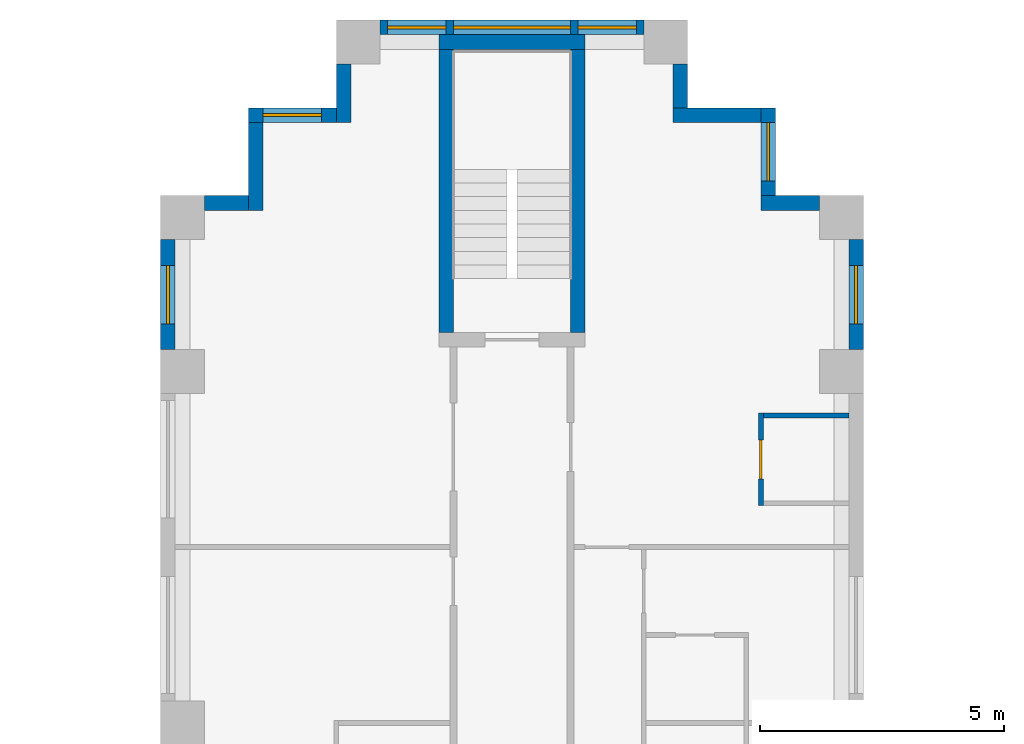
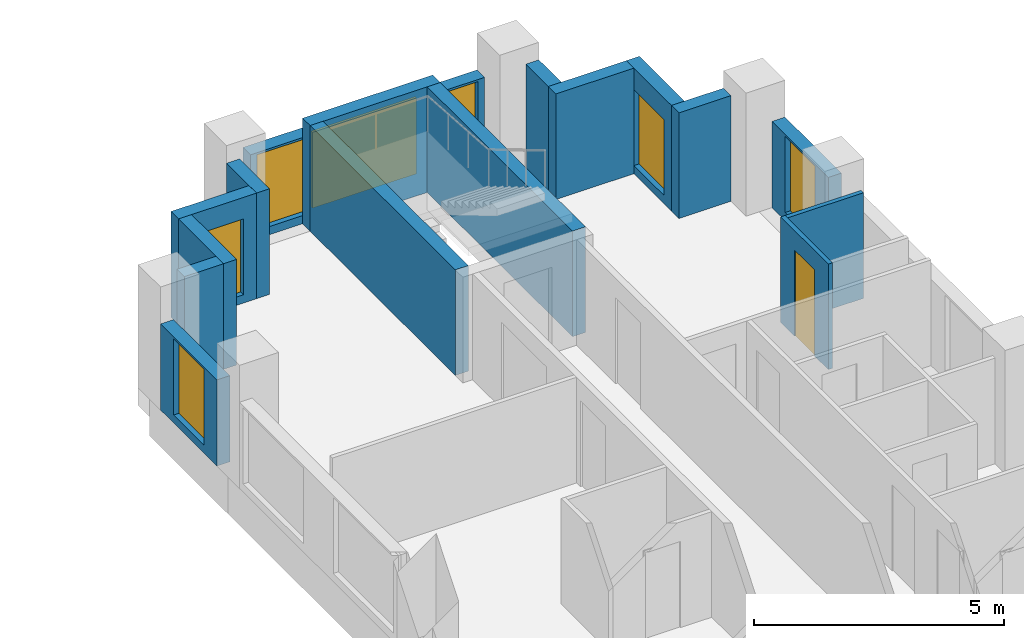
# One storey, part 12 of 15: 16 walls, 7 windows, 1 door, 8 openings.
"""IFC4 building model written with IfcOpenShell, lengths in metres."""

from ifc_helpers import new_model, si_unit, direction, frame, frame_2d, origin, place, context, subcontext, project, spatial, rectangle, extrude, material, layer, layer_set, type_object, element, fill, save


model = new_model("IFC4")

# Units and contexts
model_context = context("Model", 3, precision=1e-05, world=origin(), true_north=direction((0.0, 1.0)))
body_context = subcontext(model_context, "Body", "Model", "MODEL_VIEW")
ifc_project = project(units=[si_unit("LENGTHUNIT", "METRE"), si_unit("AREAUNIT", "SQUARE_METRE"), si_unit("VOLUMEUNIT", "CUBIC_METRE"), si_unit("PLANEANGLEUNIT", "RADIAN"), si_unit("MASSUNIT", "GRAM", prefix="KILO")], contexts=[model_context])

# Site, building, storey
site_placement = place(None, origin())
site = spatial("IfcSite", under=ifc_project, at=site_placement, CompositionType="ELEMENT")
building_placement = place(site_placement, origin())
building = spatial("IfcBuilding", under=site, at=building_placement, Name="Fustian Cross Tower", CompositionType="ELEMENT")
storey_placement = place(building_placement, frame((0.0, 0.0, 53.699951171875)))
storey = spatial("IfcBuildingStorey", under=building, at=storey_placement, Name="L16", CompositionType="ELEMENT", Elevation=53.699951171875)

# Wall, opening, door
ifc_material_1 = material(Name="Plasterboard on steel stud", Category="steel")
ifc_layer_1 = layer(ifc_material_1, 0.10009765625)
ifc_layer_set_1 = layer_set([ifc_layer_1], Name="Plasterboard on steel stud")
wall_type_1 = type_object("IfcWallType", Name="PARTITION 100 STUD", PredefinedType="PARTITIONING", material=ifc_layer_set_1)
wall_1_placement = place(storey_placement, frame((5.10009765625, 33.25, 0.0), z_axis=(0.0, 0.0, 1.0), x_axis=(0.0, 1.0, 0.0)))
wall_1 = element("IfcWall", 1, at=wall_1_placement, inside=storey, type_object=wall_type_1, Name="Partition 83", PredefinedType="PARTITIONING", context=body_context, shape_type="SweptSolid", body=[
    extrude(rectangle(XDim=1.89990234375, YDim=0.10009765625, at=frame_2d((0.949951171875, 0.0))), origin(), (0.0, 0.0, 1.0), 2.574951171875),
])
opening_1_placement = place(wall_1_placement, frame((0.550048828125, 0.0, 0.0)))
opening_1 = element("IfcOpeningElement", 2, at=opening_1_placement, cuts=wall_1, Name="Opening D09033", PredefinedType="OPENING", context=body_context, shape_type="SweptSolid", body=[
    extrude(rectangle(XDim=0.800048828125, YDim=2.10009765625, at=frame_2d((0.39990234375, 1.050048828125))), frame((0.0, 0.06005859375, 0.0), z_axis=(0.0, -1.0, 0.0), x_axis=(1.0, 0.0, 0.0)), (0.0, 0.0, 1.0), 0.1201171875),
])
ifc_material_2 = material(Name="Painted timber", Category="wood")
door_type = type_object("IfcDoorType", Name="SWING DOOR 800", OperationType="SINGLE_SWING_LEFT", PredefinedType="DOOR", material=ifc_material_2)
door_placement = place(opening_1_placement, frame((0.800048828125, 0.0, 0.0), z_axis=(0.0, 0.0, 1.0), x_axis=(-1.0, 0.0, 0.0)))
door = element("IfcDoor", 3, at=door_placement, inside=storey, type_object=door_type, Name="Door D09033", OperationType="SINGLE_SWING_LEFT", OverallHeight=2.10009765625, OverallWidth=0.800048828125, PredefinedType="DOOR", context=body_context, shape_type="SweptSolid", body=[
    extrude(rectangle(XDim=0.800048828125, YDim=2.10009765625, at=frame_2d((0.39990234375, 1.050048828125))), frame((0.0, 0.02490234375, 0.0), z_axis=(0.0, -1.0, 0.0), x_axis=(1.0, 0.0, 0.0)), (0.0, 0.0, 1.0), 0.050048828125),
])
fill(opening_1, door)

# Walls
wall_2_placement = place(storey_placement, frame((5.14990234375, 35.10009765625, 0.0), z_axis=(0.0, 0.0, 1.0), x_axis=(1.0, 0.0, 0.0)))
element("IfcWall", 4, at=wall_2_placement, inside=storey, type_object=wall_type_1, Name="Partition 85", PredefinedType="PARTITIONING", context=body_context, shape_type="SweptSolid", body=[
    extrude(rectangle(XDim=1.75, YDim=0.10009765625, at=frame_2d((0.875, 0.0))), origin(), (0.0, 0.0, 1.0), 2.574951171875),
])
ifc_material_3 = material(Name="Concrete C50/60", Category="concrete")
ifc_layer_2 = layer(ifc_material_3, 0.300048828125)
ifc_layer_set_2 = layer_set([ifc_layer_2], Name="Concrete C50/60")
wall_type_2 = type_object("IfcWallType", Name="STAIR ENCLOSURE WALL 300 C50/60", PredefinedType="SHEAR", material=ifc_layer_set_2)
wall_3_placement = place(storey_placement, frame((-1.5, 42.75, 0.0), z_axis=(0.0, 0.0, 1.0), x_axis=(1.0, 0.0, 0.0)))
element("IfcWall", 5, at=wall_3_placement, inside=storey, type_object=wall_type_2, Name="Stair enclosure wall", PredefinedType="SHEAR", context=body_context, shape_type="SweptSolid", body=[
    extrude(rectangle(XDim=3.0, YDim=0.300048828125, at=frame_2d((1.5, 0.0))), origin(), (0.0, 0.0, 1.0), 2.574951171875),
])
for number, where, z_axis, x_axis, name in (
    (6, (-1.35009765625, 36.800048828125, 0.0), (0.0, 0.0, 1.0), (0.0, 1.0, 0.0), "Stair enclosure wall"),
    (7, (1.35009765625, 36.800048828125, 0.0), (0.0, 0.0, 1.0), (0.0, 1.0, 0.0), "Stair enclosure wall"),
):
    element("IfcWall", number, at=place(storey_placement, frame(where, z_axis=z_axis, x_axis=x_axis)), inside=storey, type_object=wall_type_2, Name=name, PredefinedType="SHEAR", context=body_context, shape_type="SweptSolid", body=[
        extrude(rectangle(XDim=5.800048828125, YDim=0.300048828125, at=frame_2d((2.89990234375, 0.0))), origin(), (0.0, 0.0, 1.0), 2.574951171875),
    ])

# Wall, opening, window
ifc_material_4 = material(Name="Dark aluminium cladding on insulated backing wall", Category="aluminium")
ifc_layer_3 = layer(ifc_material_4, 0.300048828125)
ifc_layer_set_3 = layer_set([ifc_layer_3], Name="Dark aluminium cladding on insulated backing wall")
wall_type_3 = type_object("IfcWallType", Name="XW1 EXTERNAL WALL 300", PredefinedType="SOLIDWALL", material=ifc_layer_set_3)
wall_4_placement = place(storey_placement, frame((7.050048828125, 36.449951171875, 0.0), z_axis=(0.0, 0.0, 1.0), x_axis=(0.0, 1.0, 0.0)))
wall_4 = element("IfcWall", 8, at=wall_4_placement, inside=storey, type_object=wall_type_3, Name="External wall", PredefinedType="SOLIDWALL", context=body_context, shape_type="SweptSolid", body=[
    extrude(rectangle(XDim=2.25, YDim=0.300048828125, at=frame_2d((1.125, 0.0))), origin(), (0.0, 0.0, 1.0), 2.10009765625),
])
opening_2_placement = place(wall_4_placement, frame((0.52490234375, 0.0, 0.199951171875)))
opening_2 = element("IfcOpeningElement", 9, at=opening_2_placement, cuts=wall_4, Name="Opening WN3", PredefinedType="OPENING", context=body_context, shape_type="SweptSolid", body=[
    extrude(rectangle(XDim=1.199951171875, YDim=1.85009765625, at=frame_2d((0.60009765625, 0.925048828125))), frame((0.0, 0.159912109375, 0.0), z_axis=(0.0, -1.0, 0.0), x_axis=(1.0, 0.0, 0.0)), (0.0, 0.0, 1.0), 0.320068359375),
])
ifc_material_5 = material(Name="Dark anodised aluminium and double glazing", Category="aluminium")
window_type_1 = type_object("IfcWindowType", Name="WN3 WINDOW 1200X1850", PartitioningType="SINGLE_PANEL", PredefinedType="WINDOW", material=ifc_material_5)
window_1_placement = place(opening_2_placement, origin())
window_1 = element("IfcWindow", 10, at=window_1_placement, inside=storey, type_object=window_type_1, Name="Window", OverallHeight=1.85009765625, OverallWidth=1.199951171875, PartitioningType="SINGLE_PANEL", PredefinedType="WINDOW", context=body_context, shape_type="SweptSolid", body=[
    extrude(rectangle(XDim=1.199951171875, YDim=1.85009765625, at=frame_2d((0.60009765625, 0.925048828125))), frame((0.0, 0.030029296875, 0.0), z_axis=(0.0, -1.0, 0.0), x_axis=(1.0, 0.0, 0.0)), (0.0, 0.0, 1.0), 0.06005859375),
])
fill(opening_2, window_1)

# Wall
wall_5_placement = place(storey_placement, frame((6.300048828125, 39.449951171875, 0.0), z_axis=(0.0, 0.0, 1.0), x_axis=(-1.0, 0.0, 0.0)))
element("IfcWall", 11, at=wall_5_placement, inside=storey, type_object=wall_type_3, Name="External wall", PredefinedType="SOLIDWALL", context=body_context, shape_type="SweptSolid", body=[
    extrude(rectangle(XDim=1.199951171875, YDim=0.300048828125, at=frame_2d((0.60009765625, 0.0))), origin(), (0.0, 0.0, 1.0), 2.574951171875),
])

# Wall, opening, window
wall_6_placement = place(storey_placement, frame((5.25, 39.60009765625, 0.0), z_axis=(0.0, 0.0, 1.0), x_axis=(0.0, 1.0, 0.0)))
wall_6 = element("IfcWall", 12, at=wall_6_placement, inside=storey, type_object=wall_type_3, Name="External wall", PredefinedType="SOLIDWALL", context=body_context, shape_type="SweptSolid", body=[
    extrude(rectangle(XDim=1.7998046875, YDim=0.300048828125, at=frame_2d((0.89990234375, 0.0))), origin(), (0.0, 0.0, 1.0), 2.574951171875),
])
opening_3_placement = place(wall_6_placement, frame((0.300048828125, 0.0, 0.199951171875)))
opening_3 = element("IfcOpeningElement", 13, at=opening_3_placement, cuts=wall_6, Name="Opening WN3", PredefinedType="OPENING", context=body_context, shape_type="SweptSolid", body=[
    extrude(rectangle(XDim=1.199951171875, YDim=1.85009765625, at=frame_2d((0.60009765625, 0.925048828125))), frame((0.0, 0.159912109375, 0.0), z_axis=(0.0, -1.0, 0.0), x_axis=(1.0, 0.0, 0.0)), (0.0, 0.0, 1.0), 0.320068359375),
])
window_2_placement = place(opening_3_placement, origin())
window_2 = element("IfcWindow", 14, at=window_2_placement, inside=storey, type_object=window_type_1, Name="Window", OverallHeight=1.85009765625, OverallWidth=1.199951171875, PartitioningType="SINGLE_PANEL", PredefinedType="WINDOW", context=body_context, shape_type="SweptSolid", body=[
    extrude(rectangle(XDim=1.199951171875, YDim=1.85009765625, at=frame_2d((0.60009765625, 0.925048828125))), frame((0.0, 0.030029296875, 0.0), z_axis=(0.0, -1.0, 0.0), x_axis=(1.0, 0.0, 0.0)), (0.0, 0.0, 1.0), 0.06005859375),
])
fill(opening_3, window_2)

# Walls
wall_7_placement = place(storey_placement, frame((5.10009765625, 41.25, 0.0), z_axis=(0.0, 0.0, 1.0), x_axis=(-1.0, 0.0, 0.0)))
element("IfcWall", 15, at=wall_7_placement, inside=storey, type_object=wall_type_3, Name="External wall", PredefinedType="SOLIDWALL", context=body_context, shape_type="SweptSolid", body=[
    extrude(rectangle(XDim=1.800048828125, YDim=0.300048828125, at=frame_2d((0.89990234375, 0.0))), origin(), (0.0, 0.0, 1.0), 2.574951171875),
])
wall_8_placement = place(storey_placement, frame((3.449951171875, 41.39990234375, 0.0), z_axis=(0.0, 0.0, 1.0), x_axis=(0.0, 1.0, 0.0)))
element("IfcWall", 16, at=wall_8_placement, inside=storey, type_object=wall_type_3, Name="External wall", PredefinedType="SOLIDWALL", context=body_context, shape_type="SweptSolid", body=[
    extrude(rectangle(XDim=0.900146484375, YDim=0.300048828125, at=frame_2d((0.4501953125, 0.0))), origin(), (0.0, 0.0, 1.0), 2.574951171875),
])

# Wall, openings, windows
wall_9_placement = place(storey_placement, frame((2.699951171875, 43.050048828125, 0.0), z_axis=(0.0, 0.0, 1.0), x_axis=(-1.0, 0.0, 0.0)))
wall_9 = element("IfcWall", 17, at=wall_9_placement, inside=storey, type_object=wall_type_3, Name="External wall", PredefinedType="SOLIDWALL", context=body_context, shape_type="SweptSolid", body=[
    extrude(rectangle(XDim=5.39990234375, YDim=0.300048828125, at=frame_2d((2.699951171875, 0.0))), origin(), (0.0, 0.0, 1.0), 2.10009765625),
])
opening_4_placement = place(wall_9_placement, frame((1.5, 0.0, 0.199951171875)))
opening_4 = element("IfcOpeningElement", 18, at=opening_4_placement, cuts=wall_9, Name="Opening WN1", PredefinedType="OPENING", context=body_context, shape_type="SweptSolid", body=[
    extrude(rectangle(XDim=2.39990234375, YDim=1.85009765625, at=frame_2d((1.199951171875, 0.925048828125))), frame((0.0, 0.159912109375, 0.0), z_axis=(0.0, -1.0, 0.0), x_axis=(1.0, 0.0, 0.0)), (0.0, 0.0, 1.0), 0.320068359375),
])
opening_5_placement = place(wall_9_placement, frame((0.14990234375, 0.0, 0.199951171875)))
opening_5 = element("IfcOpeningElement", 19, at=opening_5_placement, cuts=wall_9, Name="Opening WN3", PredefinedType="OPENING", context=body_context, shape_type="SweptSolid", body=[
    extrude(rectangle(XDim=1.199951171875, YDim=1.85009765625, at=frame_2d((0.60009765625, 0.925048828125))), frame((0.0, 0.159912109375, 0.0), z_axis=(0.0, -1.0, 0.0), x_axis=(1.0, 0.0, 0.0)), (0.0, 0.0, 1.0), 0.320068359375),
])
opening_6_placement = place(wall_9_placement, frame((4.050048828125, 0.0, 0.199951171875)))
opening_6 = element("IfcOpeningElement", 20, at=opening_6_placement, cuts=wall_9, Name="Opening WN3", PredefinedType="OPENING", context=body_context, shape_type="SweptSolid", body=[
    extrude(rectangle(XDim=1.199951171875, YDim=1.85009765625, at=frame_2d((0.60009765625, 0.925048828125))), frame((0.0, 0.159912109375, 0.0), z_axis=(0.0, -1.0, 0.0), x_axis=(1.0, 0.0, 0.0)), (0.0, 0.0, 1.0), 0.320068359375),
])
ifc_material_6 = material(Name="Dark anodised aluminium and double glazing", Category="aluminium")
window_type_2 = type_object("IfcWindowType", Name="WN1 WINDOW 2400X1850", PartitioningType="SINGLE_PANEL", PredefinedType="WINDOW", material=ifc_material_6)
window_3_placement = place(opening_4_placement, origin())
window_3 = element("IfcWindow", 21, at=window_3_placement, inside=storey, type_object=window_type_2, Name="Window", OverallHeight=1.85009765625, OverallWidth=2.39990234375, PartitioningType="SINGLE_PANEL", PredefinedType="WINDOW", context=body_context, shape_type="SweptSolid", body=[
    extrude(rectangle(XDim=2.39990234375, YDim=1.85009765625, at=frame_2d((1.199951171875, 0.925048828125))), frame((0.0, 0.030029296875, 0.0), z_axis=(0.0, -1.0, 0.0), x_axis=(1.0, 0.0, 0.0)), (0.0, 0.0, 1.0), 0.06005859375),
])
fill(opening_4, window_3)
window_4_placement = place(opening_5_placement, origin())
window_4 = element("IfcWindow", 22, at=window_4_placement, inside=storey, type_object=window_type_1, Name="Window", OverallHeight=1.85009765625, OverallWidth=1.199951171875, PartitioningType="SINGLE_PANEL", PredefinedType="WINDOW", context=body_context, shape_type="SweptSolid", body=[
    extrude(rectangle(XDim=1.199951171875, YDim=1.85009765625, at=frame_2d((0.60009765625, 0.925048828125))), frame((0.0, 0.030029296875, 0.0), z_axis=(0.0, -1.0, 0.0), x_axis=(1.0, 0.0, 0.0)), (0.0, 0.0, 1.0), 0.06005859375),
])
fill(opening_5, window_4)
window_5_placement = place(opening_6_placement, origin())
window_5 = element("IfcWindow", 23, at=window_5_placement, inside=storey, type_object=window_type_1, Name="Window", OverallHeight=1.85009765625, OverallWidth=1.199951171875, PartitioningType="SINGLE_PANEL", PredefinedType="WINDOW", context=body_context, shape_type="SweptSolid", body=[
    extrude(rectangle(XDim=1.199951171875, YDim=1.85009765625, at=frame_2d((0.60009765625, 0.925048828125))), frame((0.0, 0.030029296875, 0.0), z_axis=(0.0, -1.0, 0.0), x_axis=(1.0, 0.0, 0.0)), (0.0, 0.0, 1.0), 0.06005859375),
])
fill(opening_6, window_5)

# Wall
wall_10_placement = place(storey_placement, frame((-3.449951171875, 42.300048828125, 0.0), z_axis=(0.0, 0.0, 1.0), x_axis=(0.0, -1.0, 0.0)))
element("IfcWall", 24, at=wall_10_placement, inside=storey, type_object=wall_type_3, Name="External wall", PredefinedType="SOLIDWALL", context=body_context, shape_type="SweptSolid", body=[
    extrude(rectangle(XDim=1.199951171875, YDim=0.300048828125, at=frame_2d((0.60009765625, 0.0))), origin(), (0.0, 0.0, 1.0), 2.574951171875),
])

# Wall, opening, window
wall_11_placement = place(storey_placement, frame((-3.60009765625, 41.25, 0.0), z_axis=(0.0, 0.0, 1.0), x_axis=(-1.0, 0.0, 0.0)))
wall_11 = element("IfcWall", 25, at=wall_11_placement, inside=storey, type_object=wall_type_3, Name="External wall", PredefinedType="SOLIDWALL", context=body_context, shape_type="SweptSolid", body=[
    extrude(rectangle(XDim=1.7998046875, YDim=0.300048828125, at=frame_2d((0.89990234375, 0.0))), origin(), (0.0, 0.0, 1.0), 2.574951171875),
])
opening_7_placement = place(wall_11_placement, frame((0.300048828125, 0.0, 0.199951171875)))
opening_7 = element("IfcOpeningElement", 26, at=opening_7_placement, cuts=wall_11, Name="Opening WN3", PredefinedType="OPENING", context=body_context, shape_type="SweptSolid", body=[
    extrude(rectangle(XDim=1.199951171875, YDim=1.85009765625, at=frame_2d((0.60009765625, 0.925048828125))), frame((0.0, 0.159912109375, 0.0), z_axis=(0.0, -1.0, 0.0), x_axis=(1.0, 0.0, 0.0)), (0.0, 0.0, 1.0), 0.320068359375),
])
window_6_placement = place(opening_7_placement, origin())
window_6 = element("IfcWindow", 27, at=window_6_placement, inside=storey, type_object=window_type_1, Name="Window", OverallHeight=1.85009765625, OverallWidth=1.199951171875, PartitioningType="SINGLE_PANEL", PredefinedType="WINDOW", context=body_context, shape_type="SweptSolid", body=[
    extrude(rectangle(XDim=1.199951171875, YDim=1.85009765625, at=frame_2d((0.60009765625, 0.925048828125))), frame((0.0, 0.030029296875, 0.0), z_axis=(0.0, -1.0, 0.0), x_axis=(1.0, 0.0, 0.0)), (0.0, 0.0, 1.0), 0.06005859375),
])
fill(opening_7, window_6)

# Walls
wall_12_placement = place(storey_placement, frame((-5.25, 41.10009765625, 0.0), z_axis=(0.0, 0.0, 1.0), x_axis=(0.0, -1.0, 0.0)))
element("IfcWall", 28, at=wall_12_placement, inside=storey, type_object=wall_type_3, Name="External wall", PredefinedType="SOLIDWALL", context=body_context, shape_type="SweptSolid", body=[
    extrude(rectangle(XDim=1.800048828125, YDim=0.300048828125, at=frame_2d((0.89990234375, 0.0))), origin(), (0.0, 0.0, 1.0), 2.574951171875),
])
wall_13_placement = place(storey_placement, frame((-5.39990234375, 39.449951171875, 0.0), z_axis=(0.0, 0.0, 1.0), x_axis=(-1.0, 0.0, 0.0)))
element("IfcWall", 29, at=wall_13_placement, inside=storey, type_object=wall_type_3, Name="External wall", PredefinedType="SOLIDWALL", context=body_context, shape_type="SweptSolid", body=[
    extrude(rectangle(XDim=0.900146484375, YDim=0.300048828125, at=frame_2d((0.4501953125, 0.0))), origin(), (0.0, 0.0, 1.0), 2.574951171875),
])

# Wall, opening, window
wall_14_placement = place(storey_placement, frame((-7.050048828125, 38.699951171875, 0.0), z_axis=(0.0, 0.0, 1.0), x_axis=(0.0, -1.0, 0.0)))
wall_14 = element("IfcWall", 30, at=wall_14_placement, inside=storey, type_object=wall_type_3, Name="External wall", PredefinedType="SOLIDWALL", context=body_context, shape_type="SweptSolid", body=[
    extrude(rectangle(XDim=2.25, YDim=0.300048828125, at=frame_2d((1.125, 0.0))), origin(), (0.0, 0.0, 1.0), 2.10009765625),
])
opening_8_placement = place(wall_14_placement, frame((0.52490234375, 0.0, 0.199951171875)))
opening_8 = element("IfcOpeningElement", 31, at=opening_8_placement, cuts=wall_14, Name="Opening WN3", PredefinedType="OPENING", context=body_context, shape_type="SweptSolid", body=[
    extrude(rectangle(XDim=1.199951171875, YDim=1.85009765625, at=frame_2d((0.60009765625, 0.925048828125))), frame((0.0, 0.159912109375, 0.0), z_axis=(0.0, -1.0, 0.0), x_axis=(1.0, 0.0, 0.0)), (0.0, 0.0, 1.0), 0.320068359375),
])
window_7_placement = place(opening_8_placement, origin())
window_7 = element("IfcWindow", 32, at=window_7_placement, inside=storey, type_object=window_type_1, Name="Window", OverallHeight=1.85009765625, OverallWidth=1.199951171875, PartitioningType="SINGLE_PANEL", PredefinedType="WINDOW", context=body_context, shape_type="SweptSolid", body=[
    extrude(rectangle(XDim=1.199951171875, YDim=1.85009765625, at=frame_2d((0.60009765625, 0.925048828125))), frame((0.0, 0.030029296875, 0.0), z_axis=(0.0, -1.0, 0.0), x_axis=(1.0, 0.0, 0.0)), (0.0, 0.0, 1.0), 0.06005859375),
])
fill(opening_8, window_7)

save(model, "model.ifc")
